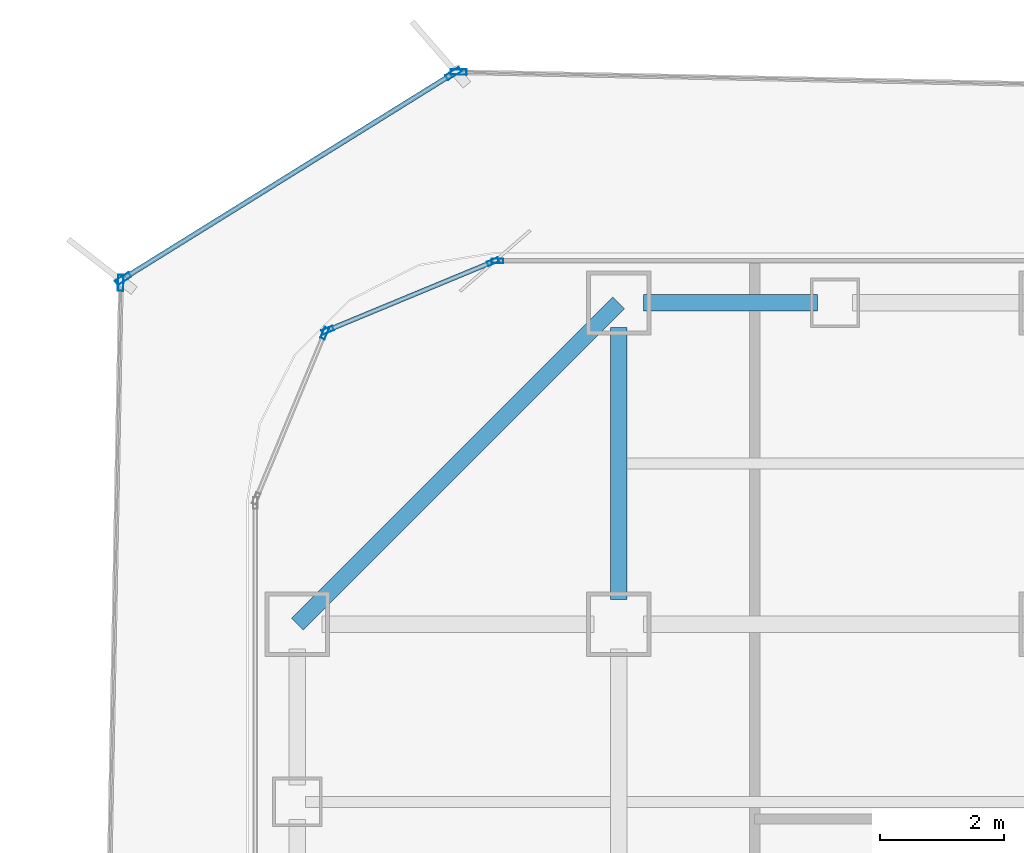
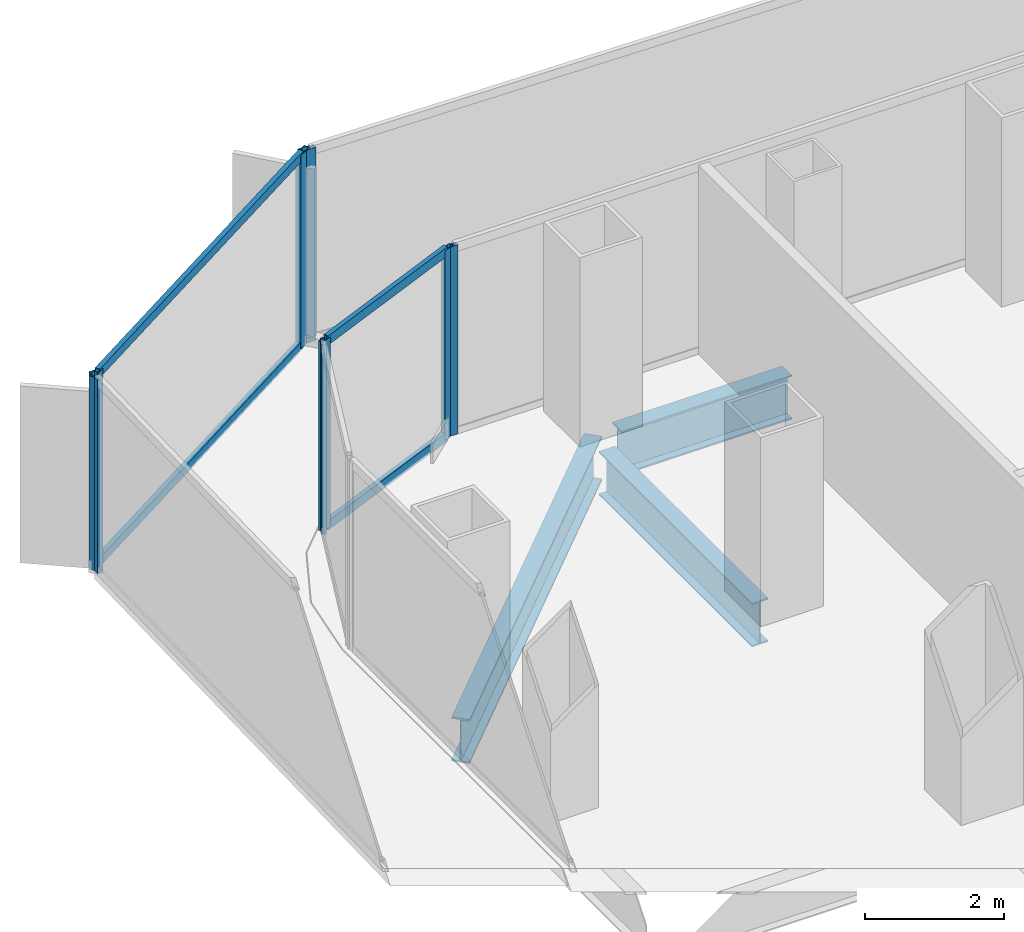
# One storey, part 11 of 21: 12 members, 3 beams, 6 elements without a shape of their own.
"""IFC4 building model written with IfcOpenShell, lengths in metres."""

from ifc_helpers import new_model, si_unit, direction, frame, origin, origin_2d, place, context, subcontext, project, spatial, hollow_rectangle, i_section, extrude, source, transform, mapped, material, layer, layer_set, material_profile, profile_set, type_object, element, aggregate, save


model = new_model("IFC4")

# Units and contexts
model_context = context("Model", 3, precision=1e-05, world=origin(), true_north=direction((0.0, 1.0)))
body_context = subcontext(model_context, "Body", "Model", "MODEL_VIEW")
ifc_project = project(units=[si_unit("LENGTHUNIT", "METRE"), si_unit("AREAUNIT", "SQUARE_METRE"), si_unit("VOLUMEUNIT", "CUBIC_METRE"), si_unit("PLANEANGLEUNIT", "RADIAN"), si_unit("MASSUNIT", "GRAM", prefix="KILO")], contexts=[model_context])

# Site, building, storey
site_placement = place(None, origin())
site = spatial("IfcSite", under=ifc_project, at=site_placement, CompositionType="ELEMENT")
building_placement = place(site_placement, origin())
building = spatial("IfcBuilding", under=site, at=building_placement, Name="Kolveth Station Tower", CompositionType="ELEMENT")
storey_placement = place(building_placement, frame((0.0, 0.0, 26.10009765625)))
storey = spatial("IfcBuildingStorey", under=building, at=storey_placement, Name="L06", CompositionType="ELEMENT", Elevation=26.10009765625)

# Beams
ifc_material_1 = material(Name="Steel S355", Category="steel")
ifc_material_profile_1 = material_profile(ifc_material_1, i_section(OverallWidth=0.26904296875, OverallDepth=0.77490234375, WebThickness=0.01708984375, FlangeThickness=0.0283203125, at=origin_2d()), Name="W760x220")
ifc_profile_set_1 = profile_set([ifc_material_profile_1], Name="Steel S355")
beam_type_1 = type_object("IfcBeamType", Name="Beam_SP1", PredefinedType="SPANDREL", material=ifc_profile_set_1)
shared_shape_1 = source(origin(), body_context, "Body", "SweptSolid", [
    extrude(i_section(OverallWidth=0.26904296875, OverallDepth=0.77490234375, WebThickness=0.01708984375, FlangeThickness=0.0283203125, at=origin_2d()), origin(), (0.0, 0.0, 1.0), 7.353759765625),
])
beam_1_placement = place(storey_placement, frame((6.0, 39.699951171875, -0.66748046875), z_axis=(-0.707106781187, -0.707106781187, 0.0), x_axis=(0.707106781187, -0.707106781187, 0.0)))
element("IfcBeam", 1, at=beam_1_placement, inside=storey, type_object=beam_type_1, Name="L06 Corner Edge Girder BM-L06-CNR-NW", PredefinedType="SPANDREL", context=body_context, shape_type="MappedRepresentation", body=[
    mapped(shared_shape_1, transform((0.0, 0.0, 0.0), x_axis=(1.0, 0.0, 0.0), y_axis=(0.0, 1.0, 0.0), z_axis=(0.0, 0.0, 1.0), scale=1.0)),
])
shared_shape_2 = source(origin(), body_context, "Body", "SweptSolid", [
    extrude(i_section(OverallWidth=0.26904296875, OverallDepth=0.77490234375, WebThickness=0.01708984375, FlangeThickness=0.0283203125, at=origin_2d()), origin(), (0.0, 0.0, 1.0), 2.820068359375),
])
beam_2_placement = place(storey_placement, frame((6.39990234375, 39.699951171875, -0.66748046875), z_axis=(1.0, 0.0, 0.0), x_axis=(0.0, 1.0, 0.0)))
element("IfcBeam", 2, at=beam_2_placement, inside=storey, type_object=beam_type_1, Name="L06 Perimeter Spandrel BM-L06-PN-1", PredefinedType="SPANDREL", context=body_context, shape_type="MappedRepresentation", body=[
    mapped(shared_shape_2, transform((0.0, 0.0, 0.0), x_axis=(1.0, 0.0, 0.0), y_axis=(0.0, 1.0, 0.0), z_axis=(0.0, 0.0, 1.0), scale=1.0)),
])
ifc_material_profile_2 = material_profile(ifc_material_1, i_section(OverallWidth=0.26708984375, OverallDepth=0.76611328125, WebThickness=0.014892578125, FlangeThickness=0.023681640625, at=origin_2d()), Name="W760x185")
ifc_profile_set_2 = profile_set([ifc_material_profile_2], Name="Steel S355")
beam_type_2 = type_object("IfcBeamType", Name="Beam_B3", PredefinedType="BEAM", material=ifc_profile_set_2)
shared_shape_3 = source(origin(), body_context, "Body", "SweptSolid", [
    extrude(i_section(OverallWidth=0.26708984375, OverallDepth=0.76611328125, WebThickness=0.014892578125, FlangeThickness=0.023681640625, at=origin_2d()), origin(), (0.0, 0.0, 1.0), 4.400146484375),
])
beam_3_placement = place(storey_placement, frame((6.0, 34.89990234375, -0.6630859375), z_axis=(0.0, 1.0, 0.0), x_axis=(-1.0, 0.0, 0.0)))
element("IfcBeam", 3, at=beam_3_placement, inside=storey, type_object=beam_type_2, Name="L06 Primary Girder BM-L06-GX60-7", PredefinedType="BEAM", context=body_context, shape_type="MappedRepresentation", body=[
    mapped(shared_shape_3, transform((0.0, 0.0, 0.0), x_axis=(1.0, 0.0, 0.0), y_axis=(0.0, 1.0, 0.0), z_axis=(0.0, 0.0, 1.0), scale=1.0)),
])

# Curtain wall, members
ifc_material_2 = material(Name="Aluminium 6063-T6 and low-E dark glass", Category="aluminium")
ifc_layer_1 = layer(ifc_material_2, 0.179931640625)
ifc_layer_set_1 = layer_set([ifc_layer_1], Name="Aluminium 6063-T6 and low-E dark glass")
curtain_wall_type_1 = type_object("IfcCurtainWallType", Name="CurtainWall_CW-Z1", PredefinedType="NOTDEFINED", material=ifc_layer_set_1)
curtain_wall_1_placement = place(storey_placement, origin())
curtain_wall_1 = element("IfcCurtainWall", 4, at=curtain_wall_1_placement, inside=storey, type_object=curtain_wall_type_1, Name="L06 Inner Thermal Curtain Wall 7", PredefinedType="NOTDEFINED")
ifc_material_3 = material(Name="Black anodized aluminium 6063-T6", Category="aluminium")
ifc_material_profile_3 = material_profile(ifc_material_3, hollow_rectangle(XDim=0.074951171875, YDim=0.159912109375, WallThickness=0.0048828125, at=origin_2d()), Name="ALU-75x160x5")
ifc_profile_set_3 = profile_set([ifc_material_profile_3], Name="Black anodized aluminium 6063-T6")
member_type_1 = type_object("IfcMemberType", Name="Transom_TR1", PredefinedType="USERDEFINED", material=ifc_profile_set_3)
shared_shape_4 = source(origin(), body_context, "Body", "SweptSolid", [
    extrude(hollow_rectangle(XDim=0.074951171875, YDim=0.159912109375, WallThickness=0.0048828125, at=origin_2d()), origin(), (0.0, 0.0, 1.0), 2.819580078125),
])
member_1_placement = place(storey_placement, frame((3.9306640625, 40.351318359375, 0.037353515625), z_axis=(-0.923869084389, -0.382708655389, 0.0), x_axis=(0.382708655389, -0.923869084389, 0.0)))
member_1 = element("IfcMember", 5, at=member_1_placement, type_object=member_type_1, Name="CW-Z1 transom 1.1", ObjectType="TRANSOM", PredefinedType="USERDEFINED", context=body_context, shape_type="MappedRepresentation", body=[
    mapped(shared_shape_4, transform((0.0, 0.0, 0.0), x_axis=(1.0, 0.0, 0.0), y_axis=(0.0, 1.0, 0.0), z_axis=(0.0, 0.0, 1.0), scale=1.0)),
])
member_2_placement = place(storey_placement, frame((3.9306640625, 40.351318359375, 3.282470703125), z_axis=(-0.923869084389, -0.382708655389, 0.0), x_axis=(0.382708655389, -0.923869084389, 0.0)))
member_2 = element("IfcMember", 6, at=member_2_placement, type_object=member_type_1, Name="CW-Z1 transom 1.2", ObjectType="TRANSOM", PredefinedType="USERDEFINED", context=body_context, shape_type="MappedRepresentation", body=[
    mapped(shared_shape_4, transform((0.0, 0.0, 0.0), x_axis=(1.0, 0.0, 0.0), y_axis=(0.0, 1.0, 0.0), z_axis=(0.0, 0.0, 1.0), scale=1.0)),
])

# Curtain wall, member
ifc_material_4 = material(Name="Black anodized aluminium 6063-T6 and dark solar glass", Category="aluminium")
ifc_layer_2 = layer(ifc_material_4, 0.159912109375)
ifc_layer_set_2 = layer_set([ifc_layer_2], Name="Black anodized aluminium 6063-T6 and dark solar glass")
curtain_wall_type_2 = type_object("IfcCurtainWallType", Name="OUTER SKIN CW-OS", PredefinedType="NOTDEFINED", material=ifc_layer_set_2)
curtain_wall_2_placement = place(storey_placement, origin())
curtain_wall_2 = element("IfcCurtainWall", 7, at=curtain_wall_2_placement, inside=storey, type_object=curtain_wall_type_2, Name="L06 Outer Ventilated Skin Curtain Wall 4", PredefinedType="NOTDEFINED")
ifc_material_profile_4 = material_profile(ifc_material_3, hollow_rectangle(XDim=0.090087890625, YDim=0.260009765625, WallThickness=0.0048828125, at=origin_2d()), Name="ALU-90x260x5")
ifc_profile_set_4 = profile_set([ifc_material_profile_4], Name="Black anodized aluminium 6063-T6")
member_type_2 = type_object("IfcMemberType", Name="FIN MULLION ML-OS", PredefinedType="MULLION", material=ifc_profile_set_4)
shared_shape_5 = source(origin(), body_context, "Body", "SweptSolid", [
    extrude(hollow_rectangle(XDim=0.090087890625, YDim=0.260009765625, WallThickness=0.0048828125, at=origin_2d()), origin(), (0.0, 0.0, 1.0), 3.389892578125),
])
member_3_placement = place(storey_placement, frame((3.408203125, 43.43505859375, 0.0), z_axis=(0.0, 0.0, 1.0), x_axis=(-0.020575293939, -0.999788306233, 0.0)))
member_3 = element("IfcMember", 8, at=member_3_placement, type_object=member_type_2, Name="CW-OS mullion 2", PredefinedType="MULLION", context=body_context, shape_type="MappedRepresentation", body=[
    mapped(shared_shape_5, transform((0.0, 0.0, 0.0), x_axis=(1.0, 0.0, 0.0), y_axis=(0.0, 1.0, 0.0), z_axis=(0.0, 0.0, 1.0), scale=1.0)),
])
aggregate(curtain_wall_2, [member_3])

# Curtain wall, members
curtain_wall_3_placement = place(storey_placement, origin())
curtain_wall_3 = element("IfcCurtainWall", 9, at=curtain_wall_3_placement, inside=storey, type_object=curtain_wall_type_2, Name="L06 Outer Ventilated Skin Curtain Wall 5", PredefinedType="NOTDEFINED")
member_4_placement = place(storey_placement, frame((3.324951171875, 43.412109375, 0.0), z_axis=(0.0, 0.0, 1.0), x_axis=(0.527870272351, -0.849325011741, 0.0)))
member_4 = element("IfcMember", 10, at=member_4_placement, type_object=member_type_2, Name="CW-OS mullion 1", PredefinedType="MULLION", context=body_context, shape_type="MappedRepresentation", body=[
    mapped(shared_shape_5, transform((0.0, 0.0, 0.0), x_axis=(1.0, 0.0, 0.0), y_axis=(0.0, 1.0, 0.0), z_axis=(0.0, 0.0, 1.0), scale=1.0)),
])
member_5_placement = place(storey_placement, frame((-2.0185546875, 40.091064453125, 0.0), z_axis=(0.0, 0.0, 1.0), x_axis=(0.527870272351, -0.849325011741, 0.0)))
member_5 = element("IfcMember", 11, at=member_5_placement, type_object=member_type_2, Name="CW-OS mullion 2", PredefinedType="MULLION", context=body_context, shape_type="MappedRepresentation", body=[
    mapped(shared_shape_5, transform((0.0, 0.0, 0.0), x_axis=(1.0, 0.0, 0.0), y_axis=(0.0, 1.0, 0.0), z_axis=(0.0, 0.0, 1.0), scale=1.0)),
])

# Curtain wall, member
curtain_wall_4_placement = place(storey_placement, origin())
curtain_wall_4 = element("IfcCurtainWall", 12, at=curtain_wall_4_placement, inside=storey, type_object=curtain_wall_type_2, Name="L06 Outer Ventilated Skin Curtain Wall 6", PredefinedType="NOTDEFINED")
member_6_placement = place(storey_placement, frame((-2.0576171875, 40.0224609375, 0.0), z_axis=(0.0, 0.0, 1.0), x_axis=(0.999816811582, -0.019140096078, 0.0)))
member_6 = element("IfcMember", 13, at=member_6_placement, type_object=member_type_2, Name="CW-OS mullion 1", PredefinedType="MULLION", context=body_context, shape_type="MappedRepresentation", body=[
    mapped(shared_shape_5, transform((0.0, 0.0, 0.0), x_axis=(1.0, 0.0, 0.0), y_axis=(0.0, 1.0, 0.0), z_axis=(0.0, 0.0, 1.0), scale=1.0)),
])
aggregate(curtain_wall_4, [member_6])

curtain_wall_5_placement = place(storey_placement, origin())
curtain_wall_5 = element("IfcCurtainWall", 14, at=curtain_wall_5_placement, inside=storey, type_object=curtain_wall_type_1, Name="L06 Inner Thermal Curtain Wall 6", PredefinedType="NOTDEFINED")
ifc_material_profile_5 = material_profile(ifc_material_3, hollow_rectangle(XDim=0.074951171875, YDim=0.18994140625, WallThickness=0.0048828125, at=origin_2d()), Name="ALU-75x190x5")
ifc_profile_set_5 = profile_set([ifc_material_profile_5], Name="Black anodized aluminium 6063-T6")
member_type_3 = type_object("IfcMemberType", Name="Mullion_ML1", PredefinedType="MULLION", material=ifc_profile_set_5)
shared_shape_6 = source(origin(), body_context, "Body", "SweptSolid", [
    extrude(hollow_rectangle(XDim=0.074951171875, YDim=0.18994140625, WallThickness=0.0048828125, at=origin_2d()), origin(), (0.0, 0.0, 1.0), 3.31982421875),
])
member_7_placement = place(storey_placement, frame((4.03759765625, 40.3798828125, 0.0), z_axis=(0.0, 0.0, 1.0), x_axis=(0.0, -1.0, 0.0)))
member_7 = element("IfcMember", 15, at=member_7_placement, type_object=member_type_3, Name="CW-Z1 mullion 3", PredefinedType="MULLION", context=body_context, shape_type="MappedRepresentation", body=[
    mapped(shared_shape_6, transform((0.0, 0.0, 0.0), x_axis=(1.0, 0.0, 0.0), y_axis=(0.0, 1.0, 0.0), z_axis=(0.0, 0.0, 1.0), scale=1.0)),
])
aggregate(curtain_wall_5, [member_7])

# Member
member_8_placement = place(storey_placement, frame((3.96533203125, 40.36572265625, 0.0), z_axis=(0.0, 0.0, 1.0), x_axis=(0.382672990201, -0.923883857728, 0.0)))
member_8 = element("IfcMember", 16, at=member_8_placement, type_object=member_type_3, Name="CW-Z1 mullion 1", PredefinedType="MULLION", context=body_context, shape_type="MappedRepresentation", body=[
    mapped(shared_shape_6, transform((0.0, 0.0, 0.0), x_axis=(1.0, 0.0, 0.0), y_axis=(0.0, 1.0, 0.0), z_axis=(0.0, 0.0, 1.0), scale=1.0)),
])

member_9_placement = place(storey_placement, frame((1.291015625, 39.258056640625, 0.0), z_axis=(0.0, 0.0, 1.0), x_axis=(0.382672990201, -0.923883857728, 0.0)))
member_9 = element("IfcMember", 17, at=member_9_placement, type_object=member_type_3, Name="CW-Z1 mullion 2", PredefinedType="MULLION", context=body_context, shape_type="MappedRepresentation", body=[
    mapped(shared_shape_6, transform((0.0, 0.0, 0.0), x_axis=(1.0, 0.0, 0.0), y_axis=(0.0, 1.0, 0.0), z_axis=(0.0, 0.0, 1.0), scale=1.0)),
])

aggregate(curtain_wall_1, [member_8, member_9, member_1, member_2])

# Curtain wall, member
curtain_wall_6_placement = place(storey_placement, origin())
curtain_wall_6 = element("IfcCurtainWall", 18, at=curtain_wall_6_placement, inside=storey, type_object=curtain_wall_type_1, Name="L06 Inner Thermal Curtain Wall 8", PredefinedType="NOTDEFINED")
member_10_placement = place(storey_placement, frame((1.241943359375, 39.208984375, 0.0), z_axis=(0.0, 0.0, 1.0), x_axis=(0.923883857728, -0.382672990201, 0.0)))
member_10 = element("IfcMember", 19, at=member_10_placement, type_object=member_type_3, Name="CW-Z1 mullion 1", PredefinedType="MULLION", context=body_context, shape_type="MappedRepresentation", body=[
    mapped(shared_shape_6, transform((0.0, 0.0, 0.0), x_axis=(1.0, 0.0, 0.0), y_axis=(0.0, 1.0, 0.0), z_axis=(0.0, 0.0, 1.0), scale=1.0)),
])
aggregate(curtain_wall_6, [member_10])

# Member
ifc_material_profile_6 = material_profile(ifc_material_3, hollow_rectangle(XDim=0.080078125, YDim=0.14990234375, WallThickness=0.0048828125, at=origin_2d()), Name="ALU-80x150x5")
ifc_profile_set_6 = profile_set([ifc_material_profile_6], Name="Black anodized aluminium 6063-T6")
member_type_4 = type_object("IfcMemberType", Name="Transom_TR-OS", PredefinedType="USERDEFINED", material=ifc_profile_set_6)
shared_shape_7 = source(origin(), body_context, "Body", "SweptSolid", [
    extrude(hollow_rectangle(XDim=0.080078125, YDim=0.14990234375, WallThickness=0.0048828125, at=origin_2d()), origin(), (0.0, 0.0, 1.0), 6.201171875),
])
member_11_placement = place(storey_placement, frame((3.28662109375, 43.388427734375, 0.039794921875), z_axis=(-0.849324920881, -0.527870418541, 0.0), x_axis=(0.527870418541, -0.849324920881, 0.0)))
member_11 = element("IfcMember", 20, at=member_11_placement, type_object=member_type_4, Name="CW-OS transom 1.1", ObjectType="TRANSOM", PredefinedType="USERDEFINED", context=body_context, shape_type="MappedRepresentation", body=[
    mapped(shared_shape_7, transform((0.0, 0.0, 0.0), x_axis=(1.0, 0.0, 0.0), y_axis=(0.0, 1.0, 0.0), z_axis=(0.0, 0.0, 1.0), scale=1.0)),
])

member_12_placement = place(storey_placement, frame((3.28662109375, 43.388427734375, 3.349853515625), z_axis=(-0.849324920881, -0.527870418541, 0.0), x_axis=(0.527870418541, -0.849324920881, 0.0)))
member_12 = element("IfcMember", 21, at=member_12_placement, type_object=member_type_4, Name="CW-OS transom 1.2", ObjectType="TRANSOM", PredefinedType="USERDEFINED", context=body_context, shape_type="MappedRepresentation", body=[
    mapped(shared_shape_7, transform((0.0, 0.0, 0.0), x_axis=(1.0, 0.0, 0.0), y_axis=(0.0, 1.0, 0.0), z_axis=(0.0, 0.0, 1.0), scale=1.0)),
])

aggregate(curtain_wall_3, [member_4, member_5, member_11, member_12])

save(model, "model.ifc")
